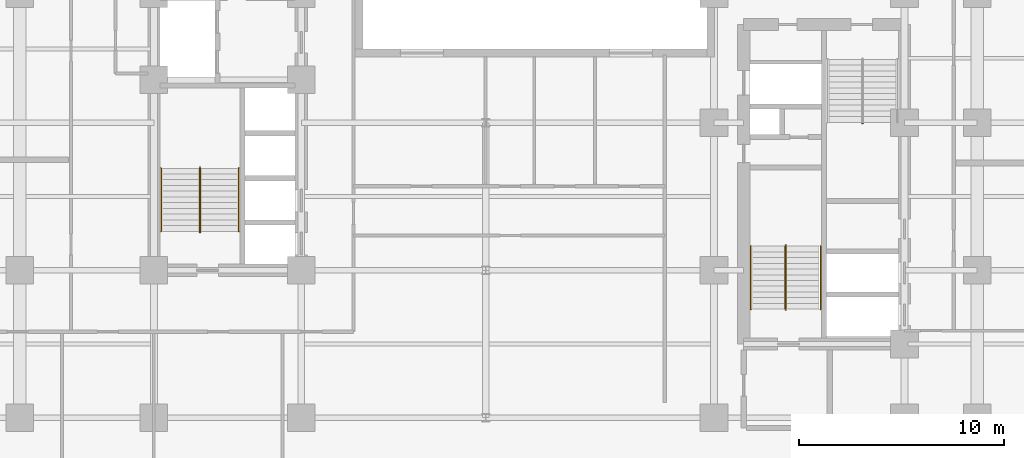
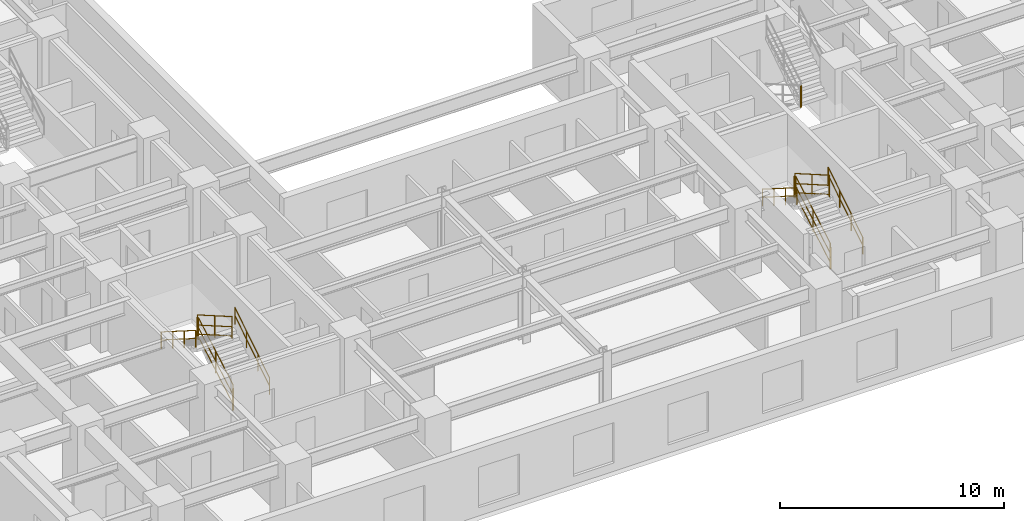
# One storey, part 7 of 9: 13 railings.
"""IFC4 building model written with IfcOpenShell, lengths in metres."""

from ifc_helpers import new_model, entity, si_unit, converted_unit, direction, frame, origin_with_axes, origin_2d_with_axis, place, context, subcontext, project, spatial, rectangle, circle, extrude, material, type_object, element, save


model = new_model("IFC4")

# Units and contexts
model_context = context("Model", 3, precision=1e-05, world=origin_with_axes(), true_north=direction((0.0, 1.0)))
body_context = subcontext(model_context, "Body", "Model", "MODEL_VIEW")
ifc_project = project(units=[si_unit("LENGTHUNIT", "METRE"), si_unit("AREAUNIT", "SQUARE_METRE"), si_unit("VOLUMEUNIT", "CUBIC_METRE"), converted_unit("PLANEANGLEUNIT", "DEGREE", entity("IfcPlaneAngleMeasure", 0.017453292519943295), si_unit("PLANEANGLEUNIT", "RADIAN"), dimensions=[0, 0, 0, 0, 0, 0, 0]), si_unit("MASSUNIT", "GRAM", prefix="KILO"), si_unit("THERMODYNAMICTEMPERATUREUNIT", "KELVIN")], contexts=[model_context])

# Site, building, storey
site_placement = place(None, origin_with_axes())
site = spatial("IfcSite", under=ifc_project, at=site_placement, CompositionType="ELEMENT")
building_placement = place(site_placement, origin_with_axes())
building = spatial("IfcBuilding", under=site, at=building_placement, Name="Varnlund Millrace Tower", CompositionType="ELEMENT")
storey_placement = place(building_placement, frame((0.0, 0.0, 67.8), z_axis=(0.0, 0.0, 1.0), x_axis=(1.0, 0.0, 0.0)))
storey = spatial("IfcBuildingStorey", under=building, at=storey_placement, Name="L16", CompositionType="ELEMENT", Elevation=67.8)

# Railings
ifc_material_1 = material(Name="Painted steel stair well balustrade guard", Category="steel")
railing_type_1 = type_object("IfcRailingType", Name="Type-StairGuard-1150", PredefinedType="GUARDRAIL", material=ifc_material_1)
railing_1_placement = place(storey_placement, frame((0.0, 0.0, -67.8), z_axis=(0.0, 0.0, 1.0), x_axis=(1.0, 0.0, 0.0)))
element("IfcRailing", 1, at=railing_1_placement, inside=storey, type_object=railing_type_1, Name="Type-StairGuard-1150", PredefinedType="GUARDRAIL", context=body_context, shape_type="SweptSolid", body=[
    extrude(circle(Radius=0.024, at=origin_2d_with_axis()), frame((13.675, 12.7, 69.127273), z_axis=(0.0, 0.866696, 0.498836), x_axis=(-1.0, 0.0, 0.0)), (0.0, 0.0, 1.0), 3.553725),
    extrude(circle(Radius=0.024, at=origin_2d_with_axis()), frame((13.675, 12.7, 68.077273), z_axis=(0.0, 0.866696, 0.498836), x_axis=(-1.0, 0.0, 0.0)), (0.0, 0.0, 1.0), 3.553725),
    extrude(circle(Radius=0.024, at=origin_2d_with_axis()), frame((13.675, 12.7, 68.575273), z_axis=(0.0, 0.866696, 0.498836), x_axis=(-1.0, 0.0, 0.0)), (0.0, 0.0, 1.0), 3.553725),
    extrude(rectangle(XDim=0.04, YDim=0.04, at=origin_2d_with_axis()), frame((13.675, 12.7, 67.937273), z_axis=(0.0, 0.0, 1.0), x_axis=(1.0, 0.0, 0.0)), (0.0, 0.0, 1.0), 1.19),
    extrude(rectangle(XDim=0.04, YDim=0.04, at=origin_2d_with_axis()), frame((13.675, 14.24, 68.823636), z_axis=(0.0, 0.0, 1.0), x_axis=(1.0, 0.0, 0.0)), (0.0, 0.0, 1.0), 1.19),
    extrude(rectangle(XDim=0.04, YDim=0.04, at=origin_2d_with_axis()), frame((13.675, 15.78, 69.71), z_axis=(0.0, 0.0, 1.0), x_axis=(1.0, 0.0, 0.0)), (0.0, 0.0, 1.0), 1.19),
])
railing_2_placement = place(storey_placement, frame((0.0, 0.0, -67.8), z_axis=(0.0, 0.0, 1.0), x_axis=(1.0, 0.0, 0.0)))
element("IfcRailing", 2, at=railing_2_placement, inside=storey, type_object=railing_type_1, Name="Type-StairGuard-1150", PredefinedType="GUARDRAIL", context=body_context, shape_type="SweptSolid", body=[
    extrude(circle(Radius=0.024, at=origin_2d_with_axis()), frame((13.625, 15.83, 70.9), z_axis=(1.0, 0.0, 0.0), x_axis=(0.0, 1.0, 0.0)), (0.0, 0.0, 1.0), 0.05),
    extrude(circle(Radius=0.024, at=origin_2d_with_axis()), frame((13.625, 15.83, 69.85), z_axis=(1.0, 0.0, 0.0), x_axis=(0.0, 1.0, 0.0)), (0.0, 0.0, 1.0), 0.05),
    extrude(circle(Radius=0.024, at=origin_2d_with_axis()), frame((13.625, 15.83, 70.348), z_axis=(1.0, 0.0, 0.0), x_axis=(0.0, 1.0, 0.0)), (0.0, 0.0, 1.0), 0.05),
    extrude(rectangle(XDim=0.04, YDim=0.04, at=origin_2d_with_axis()), frame((13.625, 15.83, 69.71), z_axis=(0.0, 0.0, 1.0), x_axis=(1.0, 0.0, 0.0)), (0.0, 0.0, 1.0), 1.19),
    extrude(rectangle(XDim=0.04, YDim=0.04, at=origin_2d_with_axis()), frame((13.675, 15.83, 69.71), z_axis=(0.0, 0.0, 1.0), x_axis=(1.0, 0.0, 0.0)), (0.0, 0.0, 1.0), 1.19),
])
railing_3_placement = place(storey_placement, frame((0.0, 0.0, -67.8), z_axis=(0.0, 0.0, 1.0), x_axis=(1.0, 0.0, 0.0)))
element("IfcRailing", 3, at=railing_3_placement, inside=storey, type_object=railing_type_1, Name="Type-StairGuard-1150", PredefinedType="GUARDRAIL", context=body_context, shape_type="SweptSolid", body=[
    extrude(circle(Radius=0.024, at=origin_2d_with_axis()), frame((13.625, 15.78, 71.077273), z_axis=(0.0, -0.866696, 0.498836), x_axis=(1.0, 0.0, 0.0)), (0.0, 0.0, 1.0), 3.553725),
    extrude(circle(Radius=0.024, at=origin_2d_with_axis()), frame((13.625, 15.78, 70.027273), z_axis=(0.0, -0.866696, 0.498836), x_axis=(1.0, 0.0, 0.0)), (0.0, 0.0, 1.0), 3.553725),
    extrude(circle(Radius=0.024, at=origin_2d_with_axis()), frame((13.625, 15.78, 70.525273), z_axis=(0.0, -0.866696, 0.498836), x_axis=(1.0, 0.0, 0.0)), (0.0, 0.0, 1.0), 3.553725),
    extrude(rectangle(XDim=0.04, YDim=0.04, at=origin_2d_with_axis()), frame((13.625, 15.78, 69.887273), z_axis=(0.0, 0.0, 1.0), x_axis=(1.0, 0.0, 0.0)), (0.0, 0.0, 1.0), 1.19),
    extrude(rectangle(XDim=0.04, YDim=0.04, at=origin_2d_with_axis()), frame((13.625, 14.24, 70.773636), z_axis=(0.0, 0.0, 1.0), x_axis=(1.0, 0.0, 0.0)), (0.0, 0.0, 1.0), 1.19),
    extrude(rectangle(XDim=0.04, YDim=0.04, at=origin_2d_with_axis()), frame((13.625, 12.7, 71.66), z_axis=(0.0, 0.0, 1.0), x_axis=(1.0, 0.0, 0.0)), (0.0, 0.0, 1.0), 1.19),
])
railing_4_placement = place(storey_placement, frame((0.0, 0.0, -67.8), z_axis=(0.0, 0.0, 1.0), x_axis=(1.0, 0.0, 0.0)))
element("IfcRailing", 4, at=railing_4_placement, inside=storey, type_object=railing_type_1, Name="Type-StairGuard-1150", PredefinedType="GUARDRAIL", context=body_context, shape_type="SweptSolid", body=[
    extrude(circle(Radius=0.024, at=origin_2d_with_axis()), frame((13.625, 12.65, 68.95), z_axis=(1.0, 0.0, 0.0), x_axis=(0.0, 1.0, 0.0)), (0.0, 0.0, 1.0), 0.05),
    extrude(circle(Radius=0.024, at=origin_2d_with_axis()), frame((13.625, 12.65, 67.9), z_axis=(1.0, 0.0, 0.0), x_axis=(0.0, 1.0, 0.0)), (0.0, 0.0, 1.0), 0.05),
    extrude(circle(Radius=0.024, at=origin_2d_with_axis()), frame((13.625, 12.65, 68.398), z_axis=(1.0, 0.0, 0.0), x_axis=(0.0, 1.0, 0.0)), (0.0, 0.0, 1.0), 0.05),
    extrude(rectangle(XDim=0.04, YDim=0.04, at=origin_2d_with_axis()), frame((13.625, 12.65, 67.76), z_axis=(0.0, 0.0, 1.0), x_axis=(1.0, 0.0, 0.0)), (0.0, 0.0, 1.0), 1.19),
    extrude(rectangle(XDim=0.04, YDim=0.04, at=origin_2d_with_axis()), frame((13.675, 12.65, 67.76), z_axis=(0.0, 0.0, 1.0), x_axis=(1.0, 0.0, 0.0)), (0.0, 0.0, 1.0), 1.19),
])
railing_5_placement = place(storey_placement, frame((0.0, 0.0, -67.8), z_axis=(0.0, 0.0, 1.0), x_axis=(1.0, 0.0, 0.0)))
element("IfcRailing", 5, at=railing_5_placement, inside=storey, type_object=railing_type_1, Name="Type-StairGuard-1150", PredefinedType="GUARDRAIL", context=body_context, shape_type="SweptSolid", body=[
    extrude(circle(Radius=0.024, at=origin_2d_with_axis()), frame((42.275, 8.9, 69.127273), z_axis=(0.0, 0.866696, 0.498836), x_axis=(-1.0, 0.0, 0.0)), (0.0, 0.0, 1.0), 3.553725),
    extrude(circle(Radius=0.024, at=origin_2d_with_axis()), frame((42.275, 8.9, 68.077273), z_axis=(0.0, 0.866696, 0.498836), x_axis=(-1.0, 0.0, 0.0)), (0.0, 0.0, 1.0), 3.553725),
    extrude(circle(Radius=0.024, at=origin_2d_with_axis()), frame((42.275, 8.9, 68.575273), z_axis=(0.0, 0.866696, 0.498836), x_axis=(-1.0, 0.0, 0.0)), (0.0, 0.0, 1.0), 3.553725),
    extrude(rectangle(XDim=0.04, YDim=0.04, at=origin_2d_with_axis()), frame((42.275, 8.9, 67.937273), z_axis=(0.0, 0.0, 1.0), x_axis=(1.0, 0.0, 0.0)), (0.0, 0.0, 1.0), 1.19),
    extrude(rectangle(XDim=0.04, YDim=0.04, at=origin_2d_with_axis()), frame((42.275, 10.44, 68.823636), z_axis=(0.0, 0.0, 1.0), x_axis=(1.0, 0.0, 0.0)), (0.0, 0.0, 1.0), 1.19),
    extrude(rectangle(XDim=0.04, YDim=0.04, at=origin_2d_with_axis()), frame((42.275, 11.98, 69.71), z_axis=(0.0, 0.0, 1.0), x_axis=(1.0, 0.0, 0.0)), (0.0, 0.0, 1.0), 1.19),
])
railing_6_placement = place(storey_placement, frame((0.0, 0.0, -67.8), z_axis=(0.0, 0.0, 1.0), x_axis=(1.0, 0.0, 0.0)))
element("IfcRailing", 6, at=railing_6_placement, inside=storey, type_object=railing_type_1, Name="Type-StairGuard-1150", PredefinedType="GUARDRAIL", context=body_context, shape_type="SweptSolid", body=[
    extrude(circle(Radius=0.024, at=origin_2d_with_axis()), frame((42.225, 12.03, 70.9), z_axis=(1.0, 0.0, 0.0), x_axis=(0.0, 1.0, 0.0)), (0.0, 0.0, 1.0), 0.05),
    extrude(circle(Radius=0.024, at=origin_2d_with_axis()), frame((42.225, 12.03, 69.85), z_axis=(1.0, 0.0, 0.0), x_axis=(0.0, 1.0, 0.0)), (0.0, 0.0, 1.0), 0.05),
    extrude(circle(Radius=0.024, at=origin_2d_with_axis()), frame((42.225, 12.03, 70.348), z_axis=(1.0, 0.0, 0.0), x_axis=(0.0, 1.0, 0.0)), (0.0, 0.0, 1.0), 0.05),
    extrude(rectangle(XDim=0.04, YDim=0.04, at=origin_2d_with_axis()), frame((42.225, 12.03, 69.71), z_axis=(0.0, 0.0, 1.0), x_axis=(1.0, 0.0, 0.0)), (0.0, 0.0, 1.0), 1.19),
    extrude(rectangle(XDim=0.04, YDim=0.04, at=origin_2d_with_axis()), frame((42.275, 12.03, 69.71), z_axis=(0.0, 0.0, 1.0), x_axis=(1.0, 0.0, 0.0)), (0.0, 0.0, 1.0), 1.19),
])
railing_7_placement = place(storey_placement, frame((0.0, 0.0, -67.8), z_axis=(0.0, 0.0, 1.0), x_axis=(1.0, 0.0, 0.0)))
element("IfcRailing", 7, at=railing_7_placement, inside=storey, type_object=railing_type_1, Name="Type-StairGuard-1150", PredefinedType="GUARDRAIL", context=body_context, shape_type="SweptSolid", body=[
    extrude(circle(Radius=0.024, at=origin_2d_with_axis()), frame((42.225, 11.98, 71.077273), z_axis=(0.0, -0.866696, 0.498836), x_axis=(1.0, 0.0, 0.0)), (0.0, 0.0, 1.0), 3.553725),
    extrude(circle(Radius=0.024, at=origin_2d_with_axis()), frame((42.225, 11.98, 70.027273), z_axis=(0.0, -0.866696, 0.498836), x_axis=(1.0, 0.0, 0.0)), (0.0, 0.0, 1.0), 3.553725),
    extrude(circle(Radius=0.024, at=origin_2d_with_axis()), frame((42.225, 11.98, 70.525273), z_axis=(0.0, -0.866696, 0.498836), x_axis=(1.0, 0.0, 0.0)), (0.0, 0.0, 1.0), 3.553725),
    extrude(rectangle(XDim=0.04, YDim=0.04, at=origin_2d_with_axis()), frame((42.225, 11.98, 69.887273), z_axis=(0.0, 0.0, 1.0), x_axis=(1.0, 0.0, 0.0)), (0.0, 0.0, 1.0), 1.19),
    extrude(rectangle(XDim=0.04, YDim=0.04, at=origin_2d_with_axis()), frame((42.225, 10.44, 70.773636), z_axis=(0.0, 0.0, 1.0), x_axis=(1.0, 0.0, 0.0)), (0.0, 0.0, 1.0), 1.19),
    extrude(rectangle(XDim=0.04, YDim=0.04, at=origin_2d_with_axis()), frame((42.225, 8.9, 71.66), z_axis=(0.0, 0.0, 1.0), x_axis=(1.0, 0.0, 0.0)), (0.0, 0.0, 1.0), 1.19),
])
railing_8_placement = place(storey_placement, frame((0.0, 0.0, -67.8), z_axis=(0.0, 0.0, 1.0), x_axis=(1.0, 0.0, 0.0)))
element("IfcRailing", 8, at=railing_8_placement, inside=storey, type_object=railing_type_1, Name="Type-StairGuard-1150", PredefinedType="GUARDRAIL", context=body_context, shape_type="SweptSolid", body=[
    extrude(circle(Radius=0.024, at=origin_2d_with_axis()), frame((42.225, 8.85, 68.95), z_axis=(1.0, 0.0, 0.0), x_axis=(0.0, 1.0, 0.0)), (0.0, 0.0, 1.0), 0.05),
    extrude(circle(Radius=0.024, at=origin_2d_with_axis()), frame((42.225, 8.85, 67.9), z_axis=(1.0, 0.0, 0.0), x_axis=(0.0, 1.0, 0.0)), (0.0, 0.0, 1.0), 0.05),
    extrude(circle(Radius=0.024, at=origin_2d_with_axis()), frame((42.225, 8.85, 68.398), z_axis=(1.0, 0.0, 0.0), x_axis=(0.0, 1.0, 0.0)), (0.0, 0.0, 1.0), 0.05),
    extrude(rectangle(XDim=0.04, YDim=0.04, at=origin_2d_with_axis()), frame((42.225, 8.85, 67.76), z_axis=(0.0, 0.0, 1.0), x_axis=(1.0, 0.0, 0.0)), (0.0, 0.0, 1.0), 1.19),
    extrude(rectangle(XDim=0.04, YDim=0.04, at=origin_2d_with_axis()), frame((42.275, 8.85, 67.76), z_axis=(0.0, 0.0, 1.0), x_axis=(1.0, 0.0, 0.0)), (0.0, 0.0, 1.0), 1.19),
])
railing_9_placement = place(storey_placement, frame((0.0, 0.0, -67.8), z_axis=(0.0, 0.0, 1.0), x_axis=(1.0, 0.0, 0.0)))
element("IfcRailing", 9, at=railing_9_placement, inside=storey, type_object=railing_type_1, Name="Type-StairGuard-1150", PredefinedType="GUARDRAIL", context=body_context, shape_type="SweptSolid", body=[
    extrude(circle(Radius=0.024, at=origin_2d_with_axis()), frame((46.025, 17.97, 70.9), z_axis=(-1.0, 0.0, 0.0), x_axis=(0.0, -1.0, 0.0)), (0.0, 0.0, 1.0), 0.05),
    extrude(circle(Radius=0.024, at=origin_2d_with_axis()), frame((46.025, 17.97, 69.85), z_axis=(-1.0, 0.0, 0.0), x_axis=(0.0, -1.0, 0.0)), (0.0, 0.0, 1.0), 0.05),
    extrude(circle(Radius=0.024, at=origin_2d_with_axis()), frame((46.025, 17.97, 70.348), z_axis=(-1.0, 0.0, 0.0), x_axis=(0.0, -1.0, 0.0)), (0.0, 0.0, 1.0), 0.05),
    extrude(rectangle(XDim=0.04, YDim=0.04, at=origin_2d_with_axis()), frame((46.025, 17.97, 69.71), z_axis=(0.0, 0.0, 1.0), x_axis=(1.0, 0.0, 0.0)), (0.0, 0.0, 1.0), 1.19),
    extrude(rectangle(XDim=0.04, YDim=0.04, at=origin_2d_with_axis()), frame((45.975, 17.97, 69.71), z_axis=(0.0, 0.0, 1.0), x_axis=(1.0, 0.0, 0.0)), (0.0, 0.0, 1.0), 1.19),
])
ifc_material_2 = material(Name="Brushed architectural bronze stair handrail", Category="aluminium")
railing_type_2 = type_object("IfcRailingType", Name="Type-StairHandrail-900", PredefinedType="HANDRAIL", material=ifc_material_2)
railing_10_placement = place(storey_placement, frame((0.0, 0.0, -67.8), z_axis=(0.0, 0.0, 1.0), x_axis=(1.0, 0.0, 0.0)))
element("IfcRailing", 10, at=railing_10_placement, inside=storey, type_object=railing_type_2, Name="Type-StairHandrail-900", PredefinedType="HANDRAIL", context=body_context, shape_type="SweptSolid", body=[
    extrude(circle(Radius=0.024, at=origin_2d_with_axis()), frame((15.55, 12.7, 68.856995), z_axis=(0.0, 0.844902, 0.534922), x_axis=(-1.0, 0.0, 0.0)), (0.0, 0.0, 1.0), 3.645394),
    extrude(circle(Radius=0.024, at=origin_2d_with_axis()), frame((15.55, 12.7, 68.417134), z_axis=(0.0, 0.844902, 0.534922), x_axis=(-1.0, 0.0, 0.0)), (0.0, 0.0, 1.0), 3.645394),
    extrude(rectangle(XDim=0.04, YDim=0.04, at=origin_2d_with_axis()), frame((15.55, 12.7, 67.937273), z_axis=(0.0, 0.0, 1.0), x_axis=(1.0, 0.0, 0.0)), (0.0, 0.0, 1.0), 0.919722),
    extrude(rectangle(XDim=0.04, YDim=0.04, at=origin_2d_with_axis()), frame((15.55, 13.726667, 68.587273), z_axis=(0.0, 0.0, 1.0), x_axis=(1.0, 0.0, 0.0)), (0.0, 0.0, 1.0), 0.919722),
    extrude(rectangle(XDim=0.04, YDim=0.04, at=origin_2d_with_axis()), frame((15.55, 14.753333, 69.237273), z_axis=(0.0, 0.0, 1.0), x_axis=(1.0, 0.0, 0.0)), (0.0, 0.0, 1.0), 0.919722),
    extrude(rectangle(XDim=0.04, YDim=0.04, at=origin_2d_with_axis()), frame((15.55, 15.78, 69.887273), z_axis=(0.0, 0.0, 1.0), x_axis=(1.0, 0.0, 0.0)), (0.0, 0.0, 1.0), 0.919722),
])
railing_11_placement = place(storey_placement, frame((0.0, 0.0, -67.8), z_axis=(0.0, 0.0, 1.0), x_axis=(1.0, 0.0, 0.0)))
element("IfcRailing", 11, at=railing_11_placement, inside=storey, type_object=railing_type_2, Name="Type-StairHandrail-900", PredefinedType="HANDRAIL", context=body_context, shape_type="SweptSolid", body=[
    extrude(circle(Radius=0.024, at=origin_2d_with_axis()), frame((11.75, 15.78, 70.806995), z_axis=(0.0, -0.844902, 0.534922), x_axis=(1.0, 0.0, 0.0)), (0.0, 0.0, 1.0), 3.645394),
    extrude(circle(Radius=0.024, at=origin_2d_with_axis()), frame((11.75, 15.78, 70.367134), z_axis=(0.0, -0.844902, 0.534922), x_axis=(1.0, 0.0, 0.0)), (0.0, 0.0, 1.0), 3.645394),
    extrude(rectangle(XDim=0.04, YDim=0.04, at=origin_2d_with_axis()), frame((11.75, 15.78, 69.887273), z_axis=(0.0, 0.0, 1.0), x_axis=(1.0, 0.0, 0.0)), (0.0, 0.0, 1.0), 0.919722),
    extrude(rectangle(XDim=0.04, YDim=0.04, at=origin_2d_with_axis()), frame((11.75, 14.753333, 70.537273), z_axis=(0.0, 0.0, 1.0), x_axis=(1.0, 0.0, 0.0)), (0.0, 0.0, 1.0), 0.919722),
    extrude(rectangle(XDim=0.04, YDim=0.04, at=origin_2d_with_axis()), frame((11.75, 13.726667, 71.187273), z_axis=(0.0, 0.0, 1.0), x_axis=(1.0, 0.0, 0.0)), (0.0, 0.0, 1.0), 0.919722),
    extrude(rectangle(XDim=0.04, YDim=0.04, at=origin_2d_with_axis()), frame((11.75, 12.7, 71.837273), z_axis=(0.0, 0.0, 1.0), x_axis=(1.0, 0.0, 0.0)), (0.0, 0.0, 1.0), 0.919722),
])
railing_12_placement = place(storey_placement, frame((0.0, 0.0, -67.8), z_axis=(0.0, 0.0, 1.0), x_axis=(1.0, 0.0, 0.0)))
element("IfcRailing", 12, at=railing_12_placement, inside=storey, type_object=railing_type_2, Name="Type-StairHandrail-900", PredefinedType="HANDRAIL", context=body_context, shape_type="SweptSolid", body=[
    extrude(circle(Radius=0.024, at=origin_2d_with_axis()), frame((43.95, 8.9, 68.856995), z_axis=(0.0, 0.844902, 0.534922), x_axis=(-1.0, 0.0, 0.0)), (0.0, 0.0, 1.0), 3.645394),
    extrude(circle(Radius=0.024, at=origin_2d_with_axis()), frame((43.95, 8.9, 68.417134), z_axis=(0.0, 0.844902, 0.534922), x_axis=(-1.0, 0.0, 0.0)), (0.0, 0.0, 1.0), 3.645394),
    extrude(rectangle(XDim=0.04, YDim=0.04, at=origin_2d_with_axis()), frame((43.95, 8.9, 67.937273), z_axis=(0.0, 0.0, 1.0), x_axis=(1.0, 0.0, 0.0)), (0.0, 0.0, 1.0), 0.919722),
    extrude(rectangle(XDim=0.04, YDim=0.04, at=origin_2d_with_axis()), frame((43.95, 9.926667, 68.587273), z_axis=(0.0, 0.0, 1.0), x_axis=(1.0, 0.0, 0.0)), (0.0, 0.0, 1.0), 0.919722),
    extrude(rectangle(XDim=0.04, YDim=0.04, at=origin_2d_with_axis()), frame((43.95, 10.953333, 69.237273), z_axis=(0.0, 0.0, 1.0), x_axis=(1.0, 0.0, 0.0)), (0.0, 0.0, 1.0), 0.919722),
    extrude(rectangle(XDim=0.04, YDim=0.04, at=origin_2d_with_axis()), frame((43.95, 11.98, 69.887273), z_axis=(0.0, 0.0, 1.0), x_axis=(1.0, 0.0, 0.0)), (0.0, 0.0, 1.0), 0.919722),
])
railing_13_placement = place(storey_placement, frame((0.0, 0.0, -67.8), z_axis=(0.0, 0.0, 1.0), x_axis=(1.0, 0.0, 0.0)))
element("IfcRailing", 13, at=railing_13_placement, inside=storey, type_object=railing_type_2, Name="Type-StairHandrail-900", PredefinedType="HANDRAIL", context=body_context, shape_type="SweptSolid", body=[
    extrude(circle(Radius=0.024, at=origin_2d_with_axis()), frame((40.55, 11.98, 70.806995), z_axis=(0.0, -0.844902, 0.534922), x_axis=(1.0, 0.0, 0.0)), (0.0, 0.0, 1.0), 3.645394),
    extrude(circle(Radius=0.024, at=origin_2d_with_axis()), frame((40.55, 11.98, 70.367134), z_axis=(0.0, -0.844902, 0.534922), x_axis=(1.0, 0.0, 0.0)), (0.0, 0.0, 1.0), 3.645394),
    extrude(rectangle(XDim=0.04, YDim=0.04, at=origin_2d_with_axis()), frame((40.55, 11.98, 69.887273), z_axis=(0.0, 0.0, 1.0), x_axis=(1.0, 0.0, 0.0)), (0.0, 0.0, 1.0), 0.919722),
    extrude(rectangle(XDim=0.04, YDim=0.04, at=origin_2d_with_axis()), frame((40.55, 10.953333, 70.537273), z_axis=(0.0, 0.0, 1.0), x_axis=(1.0, 0.0, 0.0)), (0.0, 0.0, 1.0), 0.919722),
    extrude(rectangle(XDim=0.04, YDim=0.04, at=origin_2d_with_axis()), frame((40.55, 9.926667, 71.187273), z_axis=(0.0, 0.0, 1.0), x_axis=(1.0, 0.0, 0.0)), (0.0, 0.0, 1.0), 0.919722),
    extrude(rectangle(XDim=0.04, YDim=0.04, at=origin_2d_with_axis()), frame((40.55, 8.9, 71.837273), z_axis=(0.0, 0.0, 1.0), x_axis=(1.0, 0.0, 0.0)), (0.0, 0.0, 1.0), 0.919722),
])

save(model, "model.ifc")
